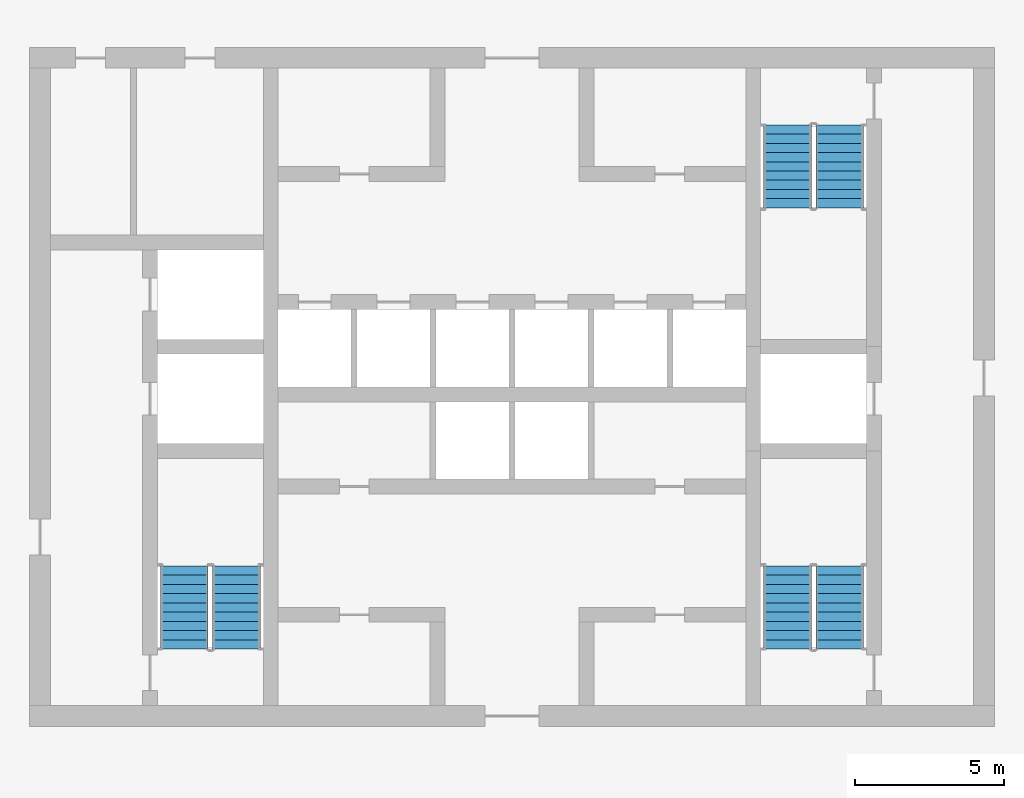
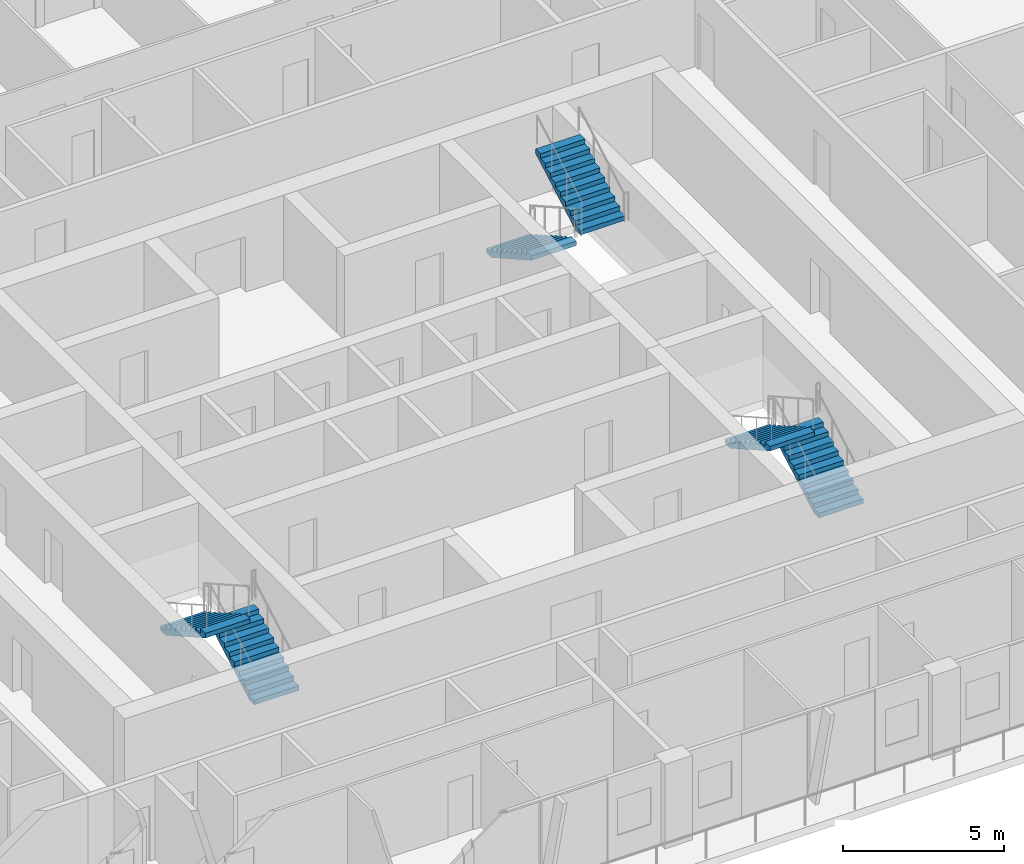
# One storey, part 16 of 23: 6 stair flights, 3 elements without a shape of their own.
"""IFC4 building model written with IfcOpenShell, lengths in metres."""

from ifc_helpers import new_model, si_unit, direction, frame, origin, place, context, subcontext, project, spatial, polyline, outline, extrude, material, type_object, element, aggregate, save


model = new_model("IFC4")

# Units and contexts
model_context = context("Model", 3, precision=1e-05, world=origin(), true_north=direction((0.0, 1.0)))
body_context = subcontext(model_context, "Body", "Model", "MODEL_VIEW")
ifc_project = project(units=[si_unit("LENGTHUNIT", "METRE"), si_unit("AREAUNIT", "SQUARE_METRE"), si_unit("VOLUMEUNIT", "CUBIC_METRE"), si_unit("PLANEANGLEUNIT", "RADIAN"), si_unit("MASSUNIT", "GRAM", prefix="KILO")], contexts=[model_context])

# Site, building, storey
site_placement = place(None, origin())
site = spatial("IfcSite", under=ifc_project, at=site_placement, CompositionType="ELEMENT")
building_placement = place(site_placement, origin())
building = spatial("IfcBuilding", under=site, at=building_placement, Name="Madar Terraces", CompositionType="ELEMENT")
storey_placement = place(building_placement, frame((0.0, 0.0, 219.300048828125)))
storey = spatial("IfcBuildingStorey", under=building, at=storey_placement, Name="L57", CompositionType="ELEMENT", Elevation=219.300048828125)

# Stair, stair flights
ifc_material_1 = material(Name="Concrete C50/60", Category="concrete")
stair_type_1 = type_object("IfcStairType", Name="Stair ST1 protected exit", PredefinedType="HALF_TURN_STAIR", material=ifc_material_1)
stair_1_placement = place(storey_placement, origin())
stair_1 = element("IfcStair", 1, at=stair_1_placement, inside=storey, type_object=stair_type_1, Name="L57 Protected Exit Stair ST1", PredefinedType="HALF_TURN_STAIR")
ifc_material_2 = material(Name="Concrete C50/60", Category="concrete")
stair_flight_type_1 = type_object("IfcStairFlightType", Name="Stair flight ST1-F4, 1600 wide, 10 risers", PredefinedType="STRAIGHT", material=ifc_material_2)
stair_flight_1_placement = place(storey_placement, frame((21.949951171875, 17.60009765625, 0.0), z_axis=(0.0, 0.0, 1.0), x_axis=(0.0, 1.0, 0.0)))
stair_flight_1 = element("IfcStairFlight", 2, at=stair_flight_1_placement, type_object=stair_flight_type_1, Name="ST1 flight 1", NumberOfRisers=10, NumberOfTreads=9, PredefinedType="STRAIGHT", RiserHeight=0.175, TreadLength=0.31, context=body_context, shape_type="SweptSolid", body=[
    extrude(outline(polyline([(0.0, 0.0), (0.0, 0.175048828125), (0.31005859375, 0.175048828125), (0.31005859375, 0.35009765625), (0.6201171875, 0.35009765625), (0.6201171875, 0.52490234375), (0.929931640625, 0.52490234375), (0.929931640625, 0.699951171875), (1.239990234375, 0.699951171875), (1.239990234375, 0.875), (1.550048828125, 0.875), (1.550048828125, 1.050048828125), (1.860107421875, 1.050048828125), (1.860107421875, 1.22509765625), (2.169921875, 1.22509765625), (2.169921875, 1.39990234375), (2.47998046875, 1.39990234375), (2.47998046875, 1.574951171875), (2.7900390625, 1.574951171875), (2.7900390625, 1.75), (2.7900390625, 1.40283203125), (0.304931640625, 0.0), (0.0, 0.0)])), frame((0.0, 0.800048828125, 0.0), z_axis=(0.0, -1.0, 0.0), x_axis=(1.0, 0.0, 0.0)), (0.0, 0.0, 1.0), 1.60009765625),
])
stair_flight_2_placement = place(storey_placement, frame((20.199951171875, 20.389892578125, 1.75), z_axis=(0.0, 0.0, 1.0), x_axis=(0.0, -1.0, 0.0)))
stair_flight_2 = element("IfcStairFlight", 3, at=stair_flight_2_placement, type_object=stair_flight_type_1, Name="ST1 flight 2", NumberOfRisers=10, NumberOfTreads=9, PredefinedType="STRAIGHT", RiserHeight=0.175, TreadLength=0.31, context=body_context, shape_type="SweptSolid", body=[
    extrude(outline(polyline([(0.0, 0.0), (0.0, 0.175048828125), (0.31005859375, 0.175048828125), (0.31005859375, 0.35009765625), (0.6201171875, 0.35009765625), (0.6201171875, 0.52490234375), (0.929931640625, 0.52490234375), (0.929931640625, 0.699951171875), (1.239990234375, 0.699951171875), (1.239990234375, 0.875), (1.550048828125, 0.875), (1.550048828125, 1.050048828125), (1.860107421875, 1.050048828125), (1.860107421875, 1.22509765625), (2.169921875, 1.22509765625), (2.169921875, 1.39990234375), (2.47998046875, 1.39990234375), (2.47998046875, 1.574951171875), (2.7900390625, 1.574951171875), (2.7900390625, 1.75), (2.7900390625, 1.40283203125), (0.304931640625, 0.0), (0.0, 0.0)])), frame((0.0, 0.800048828125, 0.0), z_axis=(0.0, -1.0, 0.0), x_axis=(1.0, 0.0, 0.0)), (0.0, 0.0, 1.0), 1.60009765625),
])
aggregate(stair_1, [stair_flight_1, stair_flight_2])

ifc_material_3 = material(Name="Concrete C50/60", Category="concrete")
stair_type_2 = type_object("IfcStairType", Name="Stair ST2 protected exit", PredefinedType="HALF_TURN_STAIR", material=ifc_material_3)
stair_2_placement = place(storey_placement, origin())
stair_2 = element("IfcStair", 4, at=stair_2_placement, inside=storey, type_object=stair_type_2, Name="L57 Protected Exit Stair ST2", PredefinedType="HALF_TURN_STAIR")
ifc_material_4 = material(Name="Concrete C50/60", Category="concrete")
stair_flight_type_2 = type_object("IfcStairFlightType", Name="Stair flight ST2-F4, 1600 wide, 10 risers", PredefinedType="STRAIGHT", material=ifc_material_4)
stair_flight_3_placement = place(storey_placement, frame((40.449951171875, 35.199951171875, 0.0), z_axis=(0.0, 0.0, 1.0), x_axis=(0.0, -1.0, 0.0)))
stair_flight_3 = element("IfcStairFlight", 5, at=stair_flight_3_placement, type_object=stair_flight_type_2, Name="ST2 flight 1", NumberOfRisers=10, NumberOfTreads=9, PredefinedType="STRAIGHT", RiserHeight=0.175, TreadLength=0.31, context=body_context, shape_type="SweptSolid", body=[
    extrude(outline(polyline([(0.0, 0.0), (0.0, 0.175048828125), (0.31005859375, 0.175048828125), (0.31005859375, 0.35009765625), (0.6201171875, 0.35009765625), (0.6201171875, 0.52490234375), (0.929931640625, 0.52490234375), (0.929931640625, 0.699951171875), (1.239990234375, 0.699951171875), (1.239990234375, 0.875), (1.550048828125, 0.875), (1.550048828125, 1.050048828125), (1.860107421875, 1.050048828125), (1.860107421875, 1.22509765625), (2.169921875, 1.22509765625), (2.169921875, 1.39990234375), (2.47998046875, 1.39990234375), (2.47998046875, 1.574951171875), (2.7900390625, 1.574951171875), (2.7900390625, 1.75), (2.7900390625, 1.40283203125), (0.304931640625, 0.0), (0.0, 0.0)])), frame((0.0, 0.800048828125, 0.0), z_axis=(0.0, -1.0, 0.0), x_axis=(1.0, 0.0, 0.0)), (0.0, 0.0, 1.0), 1.60009765625),
])
stair_flight_4_placement = place(storey_placement, frame((42.199951171875, 32.409912109375, 1.75), z_axis=(0.0, 0.0, 1.0), x_axis=(0.0, 1.0, 0.0)))
stair_flight_4 = element("IfcStairFlight", 6, at=stair_flight_4_placement, type_object=stair_flight_type_2, Name="ST2 flight 2", NumberOfRisers=10, NumberOfTreads=9, PredefinedType="STRAIGHT", RiserHeight=0.175, TreadLength=0.31, context=body_context, shape_type="SweptSolid", body=[
    extrude(outline(polyline([(0.0, 0.0), (0.0, 0.175048828125), (0.31005859375, 0.175048828125), (0.31005859375, 0.35009765625), (0.6201171875, 0.35009765625), (0.6201171875, 0.52490234375), (0.929931640625, 0.52490234375), (0.929931640625, 0.699951171875), (1.239990234375, 0.699951171875), (1.239990234375, 0.875), (1.550048828125, 0.875), (1.550048828125, 1.050048828125), (1.860107421875, 1.050048828125), (1.860107421875, 1.22509765625), (2.169921875, 1.22509765625), (2.169921875, 1.39990234375), (2.47998046875, 1.39990234375), (2.47998046875, 1.574951171875), (2.7900390625, 1.574951171875), (2.7900390625, 1.75), (2.7900390625, 1.40283203125), (0.304931640625, 0.0), (0.0, 0.0)])), frame((0.0, 0.800048828125, 0.0), z_axis=(0.0, -1.0, 0.0), x_axis=(1.0, 0.0, 0.0)), (0.0, 0.0, 1.0), 1.60009765625),
])
aggregate(stair_2, [stair_flight_3, stair_flight_4])

ifc_material_5 = material(Name="Concrete C50/60", Category="concrete")
stair_type_3 = type_object("IfcStairType", Name="Stair ST3 protected exit", PredefinedType="HALF_TURN_STAIR", material=ifc_material_5)
stair_3_placement = place(storey_placement, origin())
stair_3 = element("IfcStair", 7, at=stair_3_placement, inside=storey, type_object=stair_type_3, Name="L57 Protected Exit Stair ST3", PredefinedType="HALF_TURN_STAIR")
ifc_material_6 = material(Name="Concrete C50/60", Category="concrete")
stair_flight_type_3 = type_object("IfcStairFlightType", Name="Stair flight ST3-F4, 1600 wide, 10 risers", PredefinedType="STRAIGHT", material=ifc_material_6)
stair_flight_5_placement = place(storey_placement, frame((42.199951171875, 17.60009765625, 0.0), z_axis=(0.0, 0.0, 1.0), x_axis=(0.0, 1.0, 0.0)))
stair_flight_5 = element("IfcStairFlight", 8, at=stair_flight_5_placement, type_object=stair_flight_type_3, Name="ST3 flight 1", NumberOfRisers=10, NumberOfTreads=9, PredefinedType="STRAIGHT", RiserHeight=0.175, TreadLength=0.31, context=body_context, shape_type="SweptSolid", body=[
    extrude(outline(polyline([(0.0, 0.0), (0.0, 0.175048828125), (0.31005859375, 0.175048828125), (0.31005859375, 0.35009765625), (0.6201171875, 0.35009765625), (0.6201171875, 0.52490234375), (0.929931640625, 0.52490234375), (0.929931640625, 0.699951171875), (1.239990234375, 0.699951171875), (1.239990234375, 0.875), (1.550048828125, 0.875), (1.550048828125, 1.050048828125), (1.860107421875, 1.050048828125), (1.860107421875, 1.22509765625), (2.169921875, 1.22509765625), (2.169921875, 1.39990234375), (2.47998046875, 1.39990234375), (2.47998046875, 1.574951171875), (2.7900390625, 1.574951171875), (2.7900390625, 1.75), (2.7900390625, 1.40283203125), (0.304931640625, 0.0), (0.0, 0.0)])), frame((0.0, 0.800048828125, 0.0), z_axis=(0.0, -1.0, 0.0), x_axis=(1.0, 0.0, 0.0)), (0.0, 0.0, 1.0), 1.60009765625),
])
stair_flight_6_placement = place(storey_placement, frame((40.449951171875, 20.389892578125, 1.75), z_axis=(0.0, 0.0, 1.0), x_axis=(0.0, -1.0, 0.0)))
stair_flight_6 = element("IfcStairFlight", 9, at=stair_flight_6_placement, type_object=stair_flight_type_3, Name="ST3 flight 2", NumberOfRisers=10, NumberOfTreads=9, PredefinedType="STRAIGHT", RiserHeight=0.175, TreadLength=0.31, context=body_context, shape_type="SweptSolid", body=[
    extrude(outline(polyline([(0.0, 0.0), (0.0, 0.175048828125), (0.31005859375, 0.175048828125), (0.31005859375, 0.35009765625), (0.6201171875, 0.35009765625), (0.6201171875, 0.52490234375), (0.929931640625, 0.52490234375), (0.929931640625, 0.699951171875), (1.239990234375, 0.699951171875), (1.239990234375, 0.875), (1.550048828125, 0.875), (1.550048828125, 1.050048828125), (1.860107421875, 1.050048828125), (1.860107421875, 1.22509765625), (2.169921875, 1.22509765625), (2.169921875, 1.39990234375), (2.47998046875, 1.39990234375), (2.47998046875, 1.574951171875), (2.7900390625, 1.574951171875), (2.7900390625, 1.75), (2.7900390625, 1.40283203125), (0.304931640625, 0.0), (0.0, 0.0)])), frame((0.0, 0.800048828125, 0.0), z_axis=(0.0, -1.0, 0.0), x_axis=(1.0, 0.0, 0.0)), (0.0, 0.0, 1.0), 1.60009765625),
])
aggregate(stair_3, [stair_flight_5, stair_flight_6])

save(model, "model.ifc")
